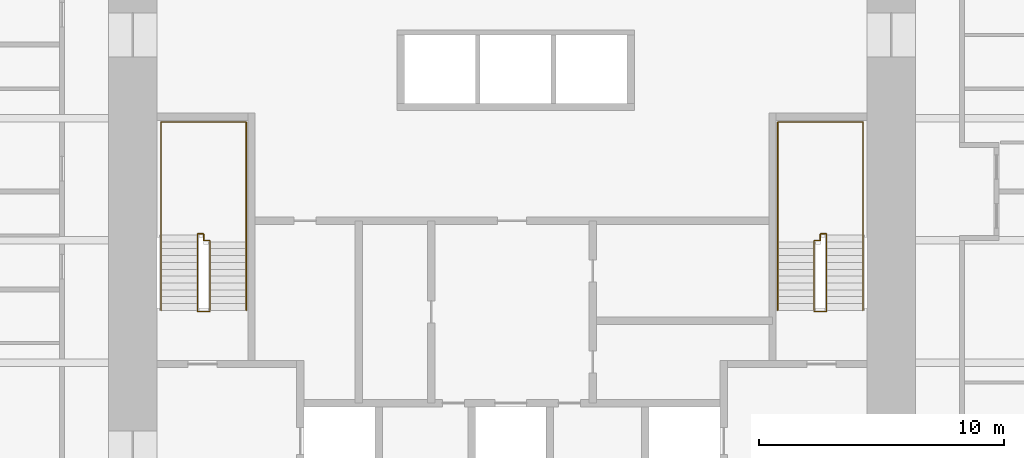
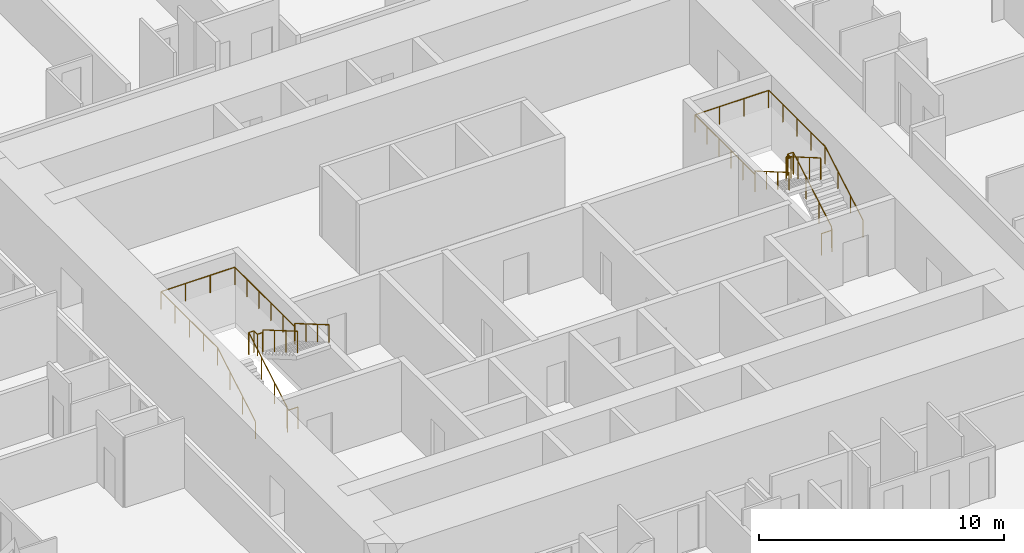
# One storey, part 16 of 16: 4 railings.
"""IFC4 building model written with IfcOpenShell, lengths in metres."""

from ifc_helpers import new_model, si_unit, direction, frame, origin, origin_2d, place, context, subcontext, project, spatial, circle, extrude, material, type_object, element, save


model = new_model("IFC4")

# Units and contexts
model_context = context("Model", 3, precision=1e-05, world=origin(), true_north=direction((0.0, 1.0)))
body_context = subcontext(model_context, "Body", "Model", "MODEL_VIEW")
ifc_project = project(units=[si_unit("LENGTHUNIT", "METRE"), si_unit("AREAUNIT", "SQUARE_METRE"), si_unit("VOLUMEUNIT", "CUBIC_METRE"), si_unit("PLANEANGLEUNIT", "RADIAN"), si_unit("MASSUNIT", "GRAM", prefix="KILO")], contexts=[model_context])

# Site, building, storey
site_placement = place(None, origin())
site = spatial("IfcSite", under=ifc_project, at=site_placement, CompositionType="ELEMENT")
building_placement = place(site_placement, origin())
building = spatial("IfcBuilding", under=site, at=building_placement, Name="Khuree Lantern Residences", CompositionType="ELEMENT")
storey_placement = place(building_placement, frame((0.0, 0.0, 69.75)))
storey = spatial("IfcBuildingStorey", under=building, at=storey_placement, Name="L17", CompositionType="ELEMENT", Elevation=69.75)

# Railings
ifc_material = material(Name="Steel S355", Category="steel")
railing_type_1 = type_object("IfcRailingType", Name="STAIR GUARD G1 1100", PredefinedType="GUARDRAIL", material=ifc_material)
railing_1_placement = place(storey_placement, frame((-12.35009765625, -2.909912109375, 0.0)))
element("IfcRailing", 1, at=railing_1_placement, inside=storey, type_object=railing_type_1, Name="Stair ST1 guard", PredefinedType="GUARDRAIL", context=body_context, shape_type="SweptSolid", body=[
    extrude(circle(Radius=0.02392578125, at=origin_2d()), frame((0.0, 0.0, 1.076171875), z_axis=(-1.0, 0.0, 0.0), x_axis=(0.0, -1.0, 0.0)), (0.0, 0.0, 1.0), 0.5),
    extrude(circle(Radius=0.02392578125, at=origin_2d()), frame((-0.5, 0.0, 1.076171875), z_axis=(0.0, 0.292073035251, 0.95639601739), x_axis=(-1.0, 0.0, 0.0)), (0.0, 0.0, 1.0), 0.17041015625),
    extrude(circle(Radius=0.02392578125, at=origin_2d()), frame((-0.5, 0.0498046875, 1.2392578125), z_axis=(0.0, 0.864176135923, 0.503189433615), x_axis=(-1.0, 0.0, 0.0)), (0.0, 0.0, 1.0), 3.564208984375),
    extrude(circle(Radius=0.02392578125, at=origin_2d()), frame((-0.5, 3.1298828125, 3.03271484375), z_axis=(0.0, 1.0, 0.0), x_axis=(-1.0, 0.0, 0.0)), (0.0, 0.0, 1.0), 0.050048828125),
    extrude(circle(Radius=0.02392578125, at=origin_2d()), frame((-0.5, 3.179931640625, 3.03271484375), z_axis=(1.0, 0.0, 0.0), x_axis=(0.0, 1.0, 0.0)), (0.0, 0.0, 1.0), 0.25),
    extrude(circle(Radius=0.02392578125, at=origin_2d()), frame((-0.25, 3.179931640625, 3.03271484375), z_axis=(0.0, -1.0, 0.0), x_axis=(1.0, 0.0, 0.0)), (0.0, 0.0, 1.0), 0.280029296875),
    extrude(circle(Radius=0.02392578125, at=origin_2d()), frame((-0.25, 2.89990234375, 3.03271484375), z_axis=(1.0, 0.0, 0.0), x_axis=(0.0, 1.0, 0.0)), (0.0, 0.0, 1.0), 0.25),
    extrude(circle(Radius=0.02392578125, at=origin_2d()), frame((0.0, 2.89990234375, 3.03271484375), z_axis=(0.0, -0.293381807449, 0.955995353053), x_axis=(1.0, 0.0, 0.0)), (0.0, 0.0, 1.0), 0.170654296875),
    extrude(circle(Radius=0.02392578125, at=origin_2d()), frame((0.0, 2.849853515625, 3.19580078125), z_axis=(0.0, -0.864180358799, 0.503182181189), x_axis=(1.0, 0.0, 0.0)), (0.0, 0.0, 1.0), 3.240234375),
    extrude(circle(Radius=0.02099609375, at=origin_2d()), origin(), (0.0, 0.0, 1.0), 1.052001953125),
    extrude(circle(Radius=0.02099609375, at=origin_2d()), frame((-0.5, 0.0, 0.0)), (0.0, 0.0, 1.0), 1.052001953125),
    extrude(circle(Radius=0.02099609375, at=origin_2d()), frame((-0.5, 0.0498046875, 0.1630859375)), (0.0, 0.0, 1.0), 1.052001953125),
    extrude(circle(Radius=0.02099609375, at=origin_2d()), frame((-0.5, 1.076416015625, 0.760986328125)), (0.0, 0.0, 1.0), 1.052001953125),
    extrude(circle(Radius=0.02099609375, at=origin_2d()), frame((-0.5, 2.103271484375, 1.358642578125)), (0.0, 0.0, 1.0), 1.052001953125),
    extrude(circle(Radius=0.02099609375, at=origin_2d()), frame((-0.5, 3.1298828125, 1.95654296875)), (0.0, 0.0, 1.0), 1.052001953125),
    extrude(circle(Radius=0.02099609375, at=origin_2d()), frame((-0.5, 3.179931640625, 1.95654296875)), (0.0, 0.0, 1.0), 1.052001953125),
    extrude(circle(Radius=0.02099609375, at=origin_2d()), frame((-0.25, 3.179931640625, 1.95654296875)), (0.0, 0.0, 1.0), 1.052001953125),
    extrude(circle(Radius=0.02099609375, at=origin_2d()), frame((-0.25, 2.89990234375, 1.95654296875)), (0.0, 0.0, 1.0), 1.052001953125),
    extrude(circle(Radius=0.02099609375, at=origin_2d()), frame((0.0, 2.89990234375, 1.95654296875)), (0.0, 0.0, 1.0), 1.052001953125),
    extrude(circle(Radius=0.02099609375, at=origin_2d()), frame((0.0, 2.849853515625, 2.11962890625)), (0.0, 0.0, 1.0), 1.052001953125),
    extrude(circle(Radius=0.02099609375, at=origin_2d()), frame((0.0, 1.91650390625, 2.6630859375)), (0.0, 0.0, 1.0), 1.052001953125),
    extrude(circle(Radius=0.02099609375, at=origin_2d()), frame((0.0, 0.983154296875, 3.20654296875)), (0.0, 0.0, 1.0), 1.052001953125),
    extrude(circle(Radius=0.02099609375, at=origin_2d()), frame((0.0, 0.0498046875, 3.75)), (0.0, 0.0, 1.0), 1.052001953125),
])
railing_2_placement = place(storey_placement, frame((12.35009765625, -2.909912109375, 0.0)))
element("IfcRailing", 2, at=railing_2_placement, inside=storey, type_object=railing_type_1, Name="Stair ST2 guard", PredefinedType="GUARDRAIL", context=body_context, shape_type="SweptSolid", body=[
    extrude(circle(Radius=0.02392578125, at=origin_2d()), frame((0.0, 0.0, 1.076171875), z_axis=(1.0, 0.0, 0.0), x_axis=(0.0, 1.0, 0.0)), (0.0, 0.0, 1.0), 0.5),
    extrude(circle(Radius=0.02392578125, at=origin_2d()), frame((0.5, 0.0, 1.076171875), z_axis=(0.0, 0.292073035251, 0.95639601739), x_axis=(-1.0, 0.0, 0.0)), (0.0, 0.0, 1.0), 0.17041015625),
    extrude(circle(Radius=0.02392578125, at=origin_2d()), frame((0.5, 0.0498046875, 1.2392578125), z_axis=(0.0, 0.864176135923, 0.503189433615), x_axis=(-1.0, 0.0, 0.0)), (0.0, 0.0, 1.0), 3.564208984375),
    extrude(circle(Radius=0.02392578125, at=origin_2d()), frame((0.5, 3.1298828125, 3.03271484375), z_axis=(0.0, 1.0, 0.0), x_axis=(-1.0, 0.0, 0.0)), (0.0, 0.0, 1.0), 0.050048828125),
    extrude(circle(Radius=0.02392578125, at=origin_2d()), frame((0.5, 3.179931640625, 3.03271484375), z_axis=(-1.0, 0.0, 0.0), x_axis=(0.0, -1.0, 0.0)), (0.0, 0.0, 1.0), 0.25),
    extrude(circle(Radius=0.02392578125, at=origin_2d()), frame((0.25, 3.179931640625, 3.03271484375), z_axis=(0.0, -1.0, 0.0), x_axis=(1.0, 0.0, 0.0)), (0.0, 0.0, 1.0), 0.280029296875),
    extrude(circle(Radius=0.02392578125, at=origin_2d()), frame((0.25, 2.89990234375, 3.03271484375), z_axis=(-1.0, 0.0, 0.0), x_axis=(0.0, -1.0, 0.0)), (0.0, 0.0, 1.0), 0.25),
    extrude(circle(Radius=0.02392578125, at=origin_2d()), frame((0.0, 2.89990234375, 3.03271484375), z_axis=(0.0, -0.293381807449, 0.955995353053), x_axis=(1.0, 0.0, 0.0)), (0.0, 0.0, 1.0), 0.170654296875),
    extrude(circle(Radius=0.02392578125, at=origin_2d()), frame((0.0, 2.849853515625, 3.19580078125), z_axis=(0.0, -0.864180358799, 0.503182181189), x_axis=(1.0, 0.0, 0.0)), (0.0, 0.0, 1.0), 3.240234375),
    extrude(circle(Radius=0.02099609375, at=origin_2d()), origin(), (0.0, 0.0, 1.0), 1.052001953125),
    extrude(circle(Radius=0.02099609375, at=origin_2d()), frame((0.5, 0.0, 0.0)), (0.0, 0.0, 1.0), 1.052001953125),
    extrude(circle(Radius=0.02099609375, at=origin_2d()), frame((0.5, 0.0498046875, 0.1630859375)), (0.0, 0.0, 1.0), 1.052001953125),
    extrude(circle(Radius=0.02099609375, at=origin_2d()), frame((0.5, 1.076416015625, 0.760986328125)), (0.0, 0.0, 1.0), 1.052001953125),
    extrude(circle(Radius=0.02099609375, at=origin_2d()), frame((0.5, 2.103271484375, 1.358642578125)), (0.0, 0.0, 1.0), 1.052001953125),
    extrude(circle(Radius=0.02099609375, at=origin_2d()), frame((0.5, 3.1298828125, 1.95654296875)), (0.0, 0.0, 1.0), 1.052001953125),
    extrude(circle(Radius=0.02099609375, at=origin_2d()), frame((0.5, 3.179931640625, 1.95654296875)), (0.0, 0.0, 1.0), 1.052001953125),
    extrude(circle(Radius=0.02099609375, at=origin_2d()), frame((0.25, 3.179931640625, 1.95654296875)), (0.0, 0.0, 1.0), 1.052001953125),
    extrude(circle(Radius=0.02099609375, at=origin_2d()), frame((0.25, 2.89990234375, 1.95654296875)), (0.0, 0.0, 1.0), 1.052001953125),
    extrude(circle(Radius=0.02099609375, at=origin_2d()), frame((0.0, 2.89990234375, 1.95654296875)), (0.0, 0.0, 1.0), 1.052001953125),
    extrude(circle(Radius=0.02099609375, at=origin_2d()), frame((0.0, 2.849853515625, 2.11962890625)), (0.0, 0.0, 1.0), 1.052001953125),
    extrude(circle(Radius=0.02099609375, at=origin_2d()), frame((0.0, 1.91650390625, 2.6630859375)), (0.0, 0.0, 1.0), 1.052001953125),
    extrude(circle(Radius=0.02099609375, at=origin_2d()), frame((0.0, 0.983154296875, 3.20654296875)), (0.0, 0.0, 1.0), 1.052001953125),
    extrude(circle(Radius=0.02099609375, at=origin_2d()), frame((0.0, 0.0498046875, 3.75)), (0.0, 0.0, 1.0), 1.052001953125),
])
railing_type_2 = type_object("IfcRailingType", Name="STAIR HANDRAIL H1 900", PredefinedType="HANDRAIL", material=ifc_material)
railing_3_placement = place(storey_placement, frame((-14.340087890625, -2.860107421875, 0.1630859375)))
element("IfcRailing", 3, at=railing_3_placement, inside=storey, type_object=railing_type_2, Name="Stair ST1 handrail", PredefinedType="HANDRAIL", context=body_context, shape_type="SweptSolid", body=[
    extrude(circle(Radius=0.02392578125, at=origin_2d()), frame((0.0, 0.0, 0.8759765625), z_axis=(0.0, 0.864176135923, 0.503189433615), x_axis=(-1.0, 0.0, 0.0)), (0.0, 0.0, 1.0), 3.564208984375),
    extrude(circle(Radius=0.02392578125, at=origin_2d()), frame((0.0, 3.080078125, 2.66943359375), z_axis=(0.0, 1.0, 0.0), x_axis=(-1.0, 0.0, 0.0)), (0.0, 0.0, 1.0), 4.6201171875),
    extrude(circle(Radius=0.02392578125, at=origin_2d()), frame((0.0, 7.7001953125, 2.66943359375), z_axis=(1.0, 0.0, 0.0), x_axis=(0.0, 1.0, 0.0)), (0.0, 0.0, 1.0), 3.47998046875),
    extrude(circle(Radius=0.02392578125, at=origin_2d()), frame((3.47998046875, 7.7001953125, 2.66943359375), z_axis=(0.0, -1.0, 0.0), x_axis=(1.0, 0.0, 0.0)), (0.0, 0.0, 1.0), 4.900146484375),
    extrude(circle(Radius=0.02392578125, at=origin_2d()), frame((3.47998046875, 2.800048828125, 2.66943359375), z_axis=(0.0, 0.0, 1.0), x_axis=(1.0, 0.0, 0.0)), (0.0, 0.0, 1.0), 0.1630859375),
    extrude(circle(Radius=0.02392578125, at=origin_2d()), frame((3.47998046875, 2.800048828125, 2.83251953125), z_axis=(0.0, -0.864180358799, 0.503182181189), x_axis=(1.0, 0.0, 0.0)), (0.0, 0.0, 1.0), 3.240234375),
    extrude(circle(Radius=0.02099609375, at=origin_2d()), origin(), (0.0, 0.0, 1.0), 0.851806640625),
    extrude(circle(Radius=0.02099609375, at=origin_2d()), frame((0.0, 1.026611328125, 0.597900390625)), (0.0, 0.0, 1.0), 0.851806640625),
    extrude(circle(Radius=0.02099609375, at=origin_2d()), frame((0.0, 2.053466796875, 1.195556640625)), (0.0, 0.0, 1.0), 0.851806640625),
    extrude(circle(Radius=0.02099609375, at=origin_2d()), frame((0.0, 3.080078125, 1.79345703125)), (0.0, 0.0, 1.0), 0.851806640625),
    extrude(circle(Radius=0.02099609375, at=origin_2d()), frame((0.0, 4.235107421875, 1.79345703125)), (0.0, 0.0, 1.0), 0.851806640625),
    extrude(circle(Radius=0.02099609375, at=origin_2d()), frame((0.0, 5.39013671875, 1.79345703125)), (0.0, 0.0, 1.0), 0.851806640625),
    extrude(circle(Radius=0.02099609375, at=origin_2d()), frame((0.0, 6.545166015625, 1.79345703125)), (0.0, 0.0, 1.0), 0.851806640625),
    extrude(circle(Radius=0.02099609375, at=origin_2d()), frame((0.0, 7.7001953125, 1.79345703125)), (0.0, 0.0, 1.0), 0.851806640625),
    extrude(circle(Radius=0.02099609375, at=origin_2d()), frame((1.159912109375, 7.7001953125, 1.79345703125)), (0.0, 0.0, 1.0), 0.851806640625),
    extrude(circle(Radius=0.02099609375, at=origin_2d()), frame((2.320068359375, 7.7001953125, 1.79345703125)), (0.0, 0.0, 1.0), 0.851806640625),
    extrude(circle(Radius=0.02099609375, at=origin_2d()), frame((3.47998046875, 7.7001953125, 1.79345703125)), (0.0, 0.0, 1.0), 0.851806640625),
    extrude(circle(Radius=0.02099609375, at=origin_2d()), frame((3.47998046875, 6.72021484375, 1.79345703125)), (0.0, 0.0, 1.0), 0.851806640625),
    extrude(circle(Radius=0.02099609375, at=origin_2d()), frame((3.47998046875, 5.740234375, 1.79345703125)), (0.0, 0.0, 1.0), 0.851806640625),
    extrude(circle(Radius=0.02099609375, at=origin_2d()), frame((3.47998046875, 4.760009765625, 1.79345703125)), (0.0, 0.0, 1.0), 0.851806640625),
    extrude(circle(Radius=0.02099609375, at=origin_2d()), frame((3.47998046875, 3.780029296875, 1.79345703125)), (0.0, 0.0, 1.0), 0.851806640625),
    extrude(circle(Radius=0.02099609375, at=origin_2d()), frame((3.47998046875, 2.800048828125, 1.79345703125)), (0.0, 0.0, 1.0), 0.851806640625),
    extrude(circle(Radius=0.02099609375, at=origin_2d()), frame((3.47998046875, 2.800048828125, 1.95654296875)), (0.0, 0.0, 1.0), 0.851806640625),
    extrude(circle(Radius=0.02099609375, at=origin_2d()), frame((3.47998046875, 1.86669921875, 2.5)), (0.0, 0.0, 1.0), 0.851806640625),
    extrude(circle(Radius=0.02099609375, at=origin_2d()), frame((3.47998046875, 0.933349609375, 3.04345703125)), (0.0, 0.0, 1.0), 0.851806640625),
    extrude(circle(Radius=0.02099609375, at=origin_2d()), frame((3.47998046875, 0.0, 3.5869140625)), (0.0, 0.0, 1.0), 0.851806640625),
])
railing_4_placement = place(storey_placement, frame((14.340087890625, -2.860107421875, 0.1630859375)))
element("IfcRailing", 4, at=railing_4_placement, inside=storey, type_object=railing_type_2, Name="Stair ST2 handrail", PredefinedType="HANDRAIL", context=body_context, shape_type="SweptSolid", body=[
    extrude(circle(Radius=0.02392578125, at=origin_2d()), frame((0.0, 0.0, 0.8759765625), z_axis=(0.0, 0.864176135923, 0.503189433615), x_axis=(-1.0, 0.0, 0.0)), (0.0, 0.0, 1.0), 3.564208984375),
    extrude(circle(Radius=0.02392578125, at=origin_2d()), frame((0.0, 3.080078125, 2.66943359375), z_axis=(0.0, 1.0, 0.0), x_axis=(-1.0, 0.0, 0.0)), (0.0, 0.0, 1.0), 4.6201171875),
    extrude(circle(Radius=0.02392578125, at=origin_2d()), frame((0.0, 7.7001953125, 2.66943359375), z_axis=(-1.0, 0.0, 0.0), x_axis=(0.0, -1.0, 0.0)), (0.0, 0.0, 1.0), 3.47998046875),
    extrude(circle(Radius=0.02392578125, at=origin_2d()), frame((-3.47998046875, 7.7001953125, 2.66943359375), z_axis=(0.0, -1.0, 0.0), x_axis=(1.0, 0.0, 0.0)), (0.0, 0.0, 1.0), 4.900146484375),
    extrude(circle(Radius=0.02392578125, at=origin_2d()), frame((-3.47998046875, 2.800048828125, 2.66943359375), z_axis=(0.0, 0.0, 1.0), x_axis=(1.0, 0.0, 0.0)), (0.0, 0.0, 1.0), 0.1630859375),
    extrude(circle(Radius=0.02392578125, at=origin_2d()), frame((-3.47998046875, 2.800048828125, 2.83251953125), z_axis=(0.0, -0.864180358799, 0.503182181189), x_axis=(1.0, 0.0, 0.0)), (0.0, 0.0, 1.0), 3.240234375),
    extrude(circle(Radius=0.02099609375, at=origin_2d()), origin(), (0.0, 0.0, 1.0), 0.851806640625),
    extrude(circle(Radius=0.02099609375, at=origin_2d()), frame((0.0, 1.026611328125, 0.597900390625)), (0.0, 0.0, 1.0), 0.851806640625),
    extrude(circle(Radius=0.02099609375, at=origin_2d()), frame((0.0, 2.053466796875, 1.195556640625)), (0.0, 0.0, 1.0), 0.851806640625),
    extrude(circle(Radius=0.02099609375, at=origin_2d()), frame((0.0, 3.080078125, 1.79345703125)), (0.0, 0.0, 1.0), 0.851806640625),
    extrude(circle(Radius=0.02099609375, at=origin_2d()), frame((0.0, 4.235107421875, 1.79345703125)), (0.0, 0.0, 1.0), 0.851806640625),
    extrude(circle(Radius=0.02099609375, at=origin_2d()), frame((0.0, 5.39013671875, 1.79345703125)), (0.0, 0.0, 1.0), 0.851806640625),
    extrude(circle(Radius=0.02099609375, at=origin_2d()), frame((0.0, 6.545166015625, 1.79345703125)), (0.0, 0.0, 1.0), 0.851806640625),
    extrude(circle(Radius=0.02099609375, at=origin_2d()), frame((0.0, 7.7001953125, 1.79345703125)), (0.0, 0.0, 1.0), 0.851806640625),
    extrude(circle(Radius=0.02099609375, at=origin_2d()), frame((-1.159912109375, 7.7001953125, 1.79345703125)), (0.0, 0.0, 1.0), 0.851806640625),
    extrude(circle(Radius=0.02099609375, at=origin_2d()), frame((-2.320068359375, 7.7001953125, 1.79345703125)), (0.0, 0.0, 1.0), 0.851806640625),
    extrude(circle(Radius=0.02099609375, at=origin_2d()), frame((-3.47998046875, 7.7001953125, 1.79345703125)), (0.0, 0.0, 1.0), 0.851806640625),
    extrude(circle(Radius=0.02099609375, at=origin_2d()), frame((-3.47998046875, 6.72021484375, 1.79345703125)), (0.0, 0.0, 1.0), 0.851806640625),
    extrude(circle(Radius=0.02099609375, at=origin_2d()), frame((-3.47998046875, 5.740234375, 1.79345703125)), (0.0, 0.0, 1.0), 0.851806640625),
    extrude(circle(Radius=0.02099609375, at=origin_2d()), frame((-3.47998046875, 4.760009765625, 1.79345703125)), (0.0, 0.0, 1.0), 0.851806640625),
    extrude(circle(Radius=0.02099609375, at=origin_2d()), frame((-3.47998046875, 3.780029296875, 1.79345703125)), (0.0, 0.0, 1.0), 0.851806640625),
    extrude(circle(Radius=0.02099609375, at=origin_2d()), frame((-3.47998046875, 2.800048828125, 1.79345703125)), (0.0, 0.0, 1.0), 0.851806640625),
    extrude(circle(Radius=0.02099609375, at=origin_2d()), frame((-3.47998046875, 2.800048828125, 1.95654296875)), (0.0, 0.0, 1.0), 0.851806640625),
    extrude(circle(Radius=0.02099609375, at=origin_2d()), frame((-3.47998046875, 1.86669921875, 2.5)), (0.0, 0.0, 1.0), 0.851806640625),
    extrude(circle(Radius=0.02099609375, at=origin_2d()), frame((-3.47998046875, 0.933349609375, 3.04345703125)), (0.0, 0.0, 1.0), 0.851806640625),
    extrude(circle(Radius=0.02099609375, at=origin_2d()), frame((-3.47998046875, 0.0, 3.5869140625)), (0.0, 0.0, 1.0), 0.851806640625),
])

save(model, "model.ifc")
